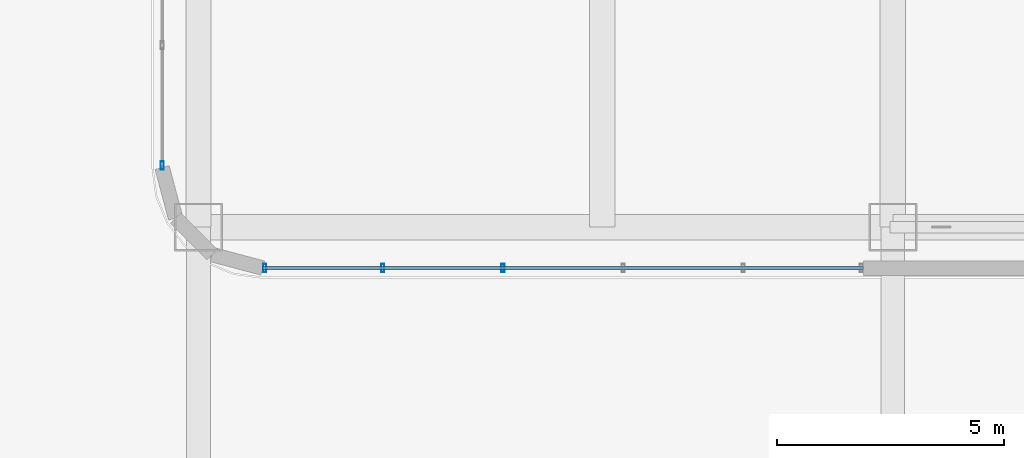
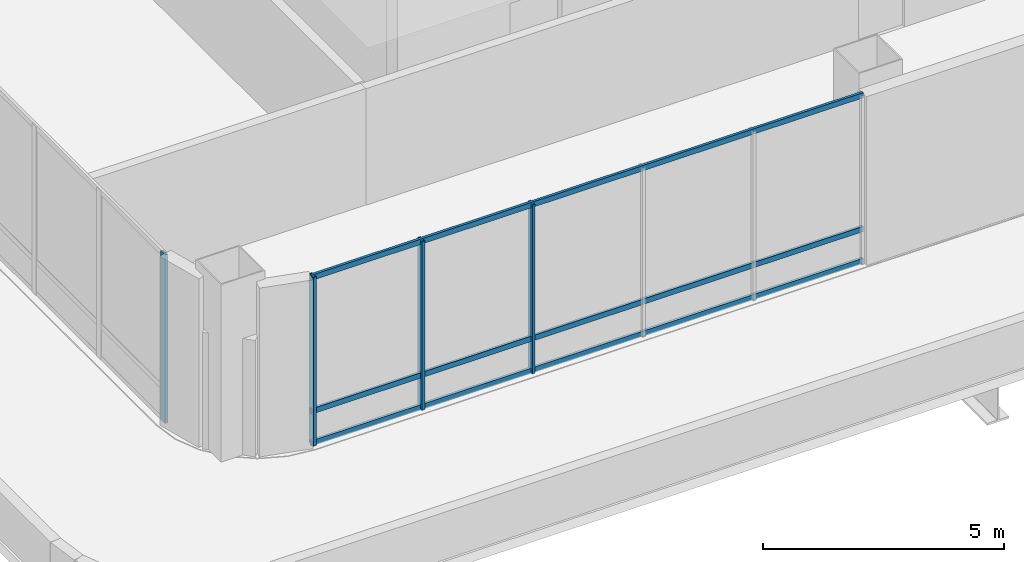
# One storey, part 2 of 33: 7 members, 2 elements without a shape of their own.
"""IFC4 building model written with IfcOpenShell, lengths in metres."""

import ifcopenshell
import ifcopenshell.guid

model = None  # the IFC model being written
_history = None  # IfcOwnerHistory: only IFC2X3 demands one
_inside = {}  # id of a spatial element -> (the spatial element, [elements in it])
_under = {}  # id of a project, library or spatial element -> (it, [spatial elements below it])
_declared = {}  # id of a project -> (the project, [libraries it declares])
_typed = {}  # id of a type object -> (the type object, [elements of that type])
_made_of = {}  # id of a material, layer set ... -> (it, [elements and type objects made of it])


def new_model(schema):
    """Start an empty IFC model of exactly this schema.

    Asked for "IFC4X3", IfcOpenShell would pick the latest addendum, in which some entities
    have other attributes; the version numbers below select the first issue.
    IFC2X3 requires an IfcOwnerHistory on every rooted entity: one is made here for all.
    """
    global model, _history
    if schema == "IFC4X3":
        model = ifcopenshell.file(schema_version=(4, 3, 0, 0))
    else:
        model = ifcopenshell.file(schema=schema)
    _inside.clear()
    _under.clear()
    _declared.clear()
    _typed.clear()
    _made_of.clear()
    _history = None
    if model.schema == "IFC2X3":
        org = make("IfcOrganization", Name="unknown")
        user = make(
            "IfcPersonAndOrganization",
            ThePerson=make("IfcPerson", FamilyName="unknown"),
            TheOrganization=org,
        )
        app = make(
            "IfcApplication",
            ApplicationDeveloper=org,
            Version="unknown",
            ApplicationFullName="unknown",
            ApplicationIdentifier="unknown",
        )
        _history = make(
            "IfcOwnerHistory",
            OwningUser=user,
            OwningApplication=app,
            ChangeAction="ADDED",
            CreationDate=0,
        )
    return model


def make(cls, **values):
    """One entity of the class cls with the attributes given. An attribute that is None is left unset."""
    return model.create_entity(
        cls, **{name: value for name, value in values.items() if value is not None}
    )


def rooted(cls, **values):
    """An entity with a GlobalId (a new one), such as an element, a storey or a relation."""
    return make(cls, GlobalId=ifcopenshell.guid.new(), OwnerHistory=_history, **values)


def si_unit(unit_type, name, prefix=None):
    """IfcSIUnit, for example si_unit("LENGTHUNIT", "METRE", prefix="MILLI")."""
    return make("IfcSIUnit", UnitType=unit_type, Prefix=prefix, Name=name)


def assignment(units):
    """IfcUnitAssignment: the units of a project."""
    return None if units is None else make("IfcUnitAssignment", Units=units)


def point(xyz):
    """IfcCartesianPoint."""
    return None if xyz is None else make("IfcCartesianPoint", Coordinates=xyz)


def direction(xyz):
    """IfcDirection."""
    return None if xyz is None else make("IfcDirection", DirectionRatios=xyz)


def frame(location, z_axis=None, x_axis=None):
    """IfcAxis2Placement3D, a coordinate frame: its origin and axes. An axis left out is left unset."""
    return make(
        "IfcAxis2Placement3D",
        Location=point(location),
        Axis=direction(z_axis),
        RefDirection=direction(x_axis),
    )


def frame_2d(location, x_axis=None):
    """IfcAxis2Placement2D, a coordinate frame in the plane: its origin and x axis."""
    return make(
        "IfcAxis2Placement2D", Location=point(location), RefDirection=direction(x_axis)
    )


def origin():
    """The frame at (0, 0, 0) with its axes left unset."""
    return frame((0.0, 0.0, 0.0))


def origin_2d():
    """The frame at (0, 0) in the plane with its x axis left unset."""
    return frame_2d((0.0, 0.0))


def place(relative_to, where):
    """IfcLocalPlacement: puts the frame where relative to a parent placement (None: the world)."""
    return make(
        "IfcLocalPlacement", PlacementRelTo=relative_to, RelativePlacement=where
    )


def context(
    kind, dimensions, precision=None, world=None, true_north=None, identifier=None
):
    """IfcGeometricRepresentationContext, for example the 3D "Model" context."""
    return make(
        "IfcGeometricRepresentationContext",
        ContextIdentifier=identifier,
        ContextType=kind,
        CoordinateSpaceDimension=dimensions,
        Precision=precision,
        WorldCoordinateSystem=world,
        TrueNorth=true_north,
    )


def subcontext(parent, identifier, kind, view, scale=None):
    """IfcGeometricRepresentationSubContext, for example "Body" below "Model"."""
    return make(
        "IfcGeometricRepresentationSubContext",
        ContextIdentifier=identifier,
        ContextType=kind,
        ParentContext=parent,
        TargetScale=scale,
        TargetView=view,
    )


def project(units=None, contexts=None):
    """IfcProject with its units and contexts."""
    return rooted(
        "IfcProject",
        Name="project",
        RepresentationContexts=contexts,
        UnitsInContext=assignment(units),
    )


def spatial(cls, under=None, at=None, **own):
    """A site, building, storey or space (cls), placed at a placement, below another one or the project."""
    s = rooted(cls, ObjectPlacement=at, **own)
    if under is not None:
        _under.setdefault(under.id(), (under, []))[1].append(s)
    return s


def profile(cls, at=None, kind="AREA", **sizes):
    """A parametric profile (cls). Its sizes go by their IFC names, for example OverallWidth=200.0."""
    return make(cls, ProfileType=kind, Position=at, **sizes)


def hollow_rectangle(**sizes):
    """IfcRectangleHollowProfileDef."""
    return profile("IfcRectangleHollowProfileDef", **sizes)


def extrude(swept, where, along, depth):
    """IfcExtrudedAreaSolid: the profile swept, set in the frame where, extruded along a direction by depth."""
    return make(
        "IfcExtrudedAreaSolid",
        SweptArea=swept,
        Position=where,
        ExtrudedDirection=direction(along),
        Depth=depth,
    )


def shape(context_of_items, identifier, shape_type, items):
    """IfcShapeRepresentation: the items that make up one representation, for example the "Body"."""
    return make(
        "IfcShapeRepresentation",
        ContextOfItems=context_of_items,
        RepresentationIdentifier=identifier,
        RepresentationType=shape_type,
        Items=items,
    )


def material(Name=None, Category=None):
    """IfcMaterial."""
    return make("IfcMaterial", Name=Name, Category=Category)


def material_profile(
    of_material, cross_section, Name=None, Category=None, Priority=None
):
    """IfcMaterialProfile: a cross section and its material."""
    return make(
        "IfcMaterialProfile",
        Name=Name,
        Material=of_material,
        Profile=cross_section,
        Priority=Priority,
        Category=Category,
    )


def profile_set(profiles, Name=None, composite=None):
    """IfcMaterialProfileSet."""
    return make(
        "IfcMaterialProfileSet",
        Name=Name,
        MaterialProfiles=profiles,
        CompositeProfile=composite,
    )


def made_of(thing, what):
    """Note that an element or type object is made of a material, layer set ...; save() writes the relation."""
    if what is not None:
        _made_of.setdefault(what.id(), (what, []))[1].append(thing)
    return thing


def type_object(cls, material=None, **own):
    """A type object (cls), such as IfcWallType, which elements share."""
    return made_of(rooted(cls, **own), material)


def element(
    cls,
    number,
    at=None,
    inside=None,
    cuts=None,
    type_object=None,
    material=None,
    context=None,
    identifier="Body",
    shape_type=None,
    held_by="IfcProductDefinitionShape",
    body=None,
    shapes=None,
    **own,
):
    """One element of the class cls, such as IfcWall. Its Tag is "e" and its number.

    at: its placement. inside: the storey or other place that contains it. cuts: it is an
    opening in that element (IfcRelVoidsElement). A single representation is given by context,
    identifier, shape_type and body (its items); several are given by shapes. held_by: the class
    of the entity that holds the representations. save() writes the other relations.
    """
    e = rooted(cls, Tag="e%d" % number, ObjectPlacement=at, **own)
    if body is not None:
        shapes = [shape(context, identifier, shape_type, body)]
    if shapes is not None:
        e.Representation = make(held_by, Representations=shapes)
    if inside is not None:
        _inside.setdefault(inside.id(), (inside, []))[1].append(e)
    if cuts is not None:
        rooted(
            "IfcRelVoidsElement", RelatingBuildingElement=cuts, RelatedOpeningElement=e
        )
    if type_object is not None:
        _typed.setdefault(type_object.id(), (type_object, []))[1].append(e)
    return made_of(e, material)


def aggregate(whole, parts):
    """IfcRelAggregates: a whole, such as a stair, and the parts it consists of."""
    return rooted("IfcRelAggregates", RelatingObject=whole, RelatedObjects=parts)


def save(model, path):
    """Write the relations noted so far, then the file.

    IfcRelAggregates (storeys below a building ...), IfcRelContainedInSpatialStructure (elements
    in a storey), IfcRelDefinesByType, IfcRelAssociatesMaterial and IfcRelDeclares: one each for
    every whole, place, type object, material and project.
    """
    for whole, parts in _under.values():
        aggregate(whole, parts)
    for where, things in _inside.values():
        rooted(
            "IfcRelContainedInSpatialStructure",
            RelatedElements=things,
            RelatingStructure=where,
        )
    for kind, things in _typed.values():
        rooted("IfcRelDefinesByType", RelatedObjects=things, RelatingType=kind)
    for what, things in _made_of.values():
        rooted("IfcRelAssociatesMaterial", RelatedObjects=things, RelatingMaterial=what)
    for by, libraries in _declared.values():
        rooted("IfcRelDeclares", RelatingContext=by, RelatedDefinitions=libraries)
    model.write(path)


model = new_model("IFC4")

# Units and contexts
model_context = context("Model", 3, precision=1e-05, world=origin(), true_north=direction((0.0, 1.0)))
body_context = subcontext(model_context, "Body", "Model", "MODEL_VIEW")
ifc_project = project(units=[si_unit("LENGTHUNIT", "METRE"), si_unit("AREAUNIT", "SQUARE_METRE"), si_unit("VOLUMEUNIT", "CUBIC_METRE"), si_unit("PLANEANGLEUNIT", "RADIAN"), si_unit("MASSUNIT", "GRAM", prefix="KILO")], contexts=[model_context])

# Site, building, storey
site_placement = place(None, origin())
site = spatial("IfcSite", under=ifc_project, at=site_placement, CompositionType="ELEMENT")
building_placement = place(site_placement, origin())
building = spatial("IfcBuilding", under=site, at=building_placement, Name="Punatoya Terracotta Tower", CompositionType="ELEMENT")
storey_placement = place(building_placement, frame((0.0, 0.0, 343.800048828125)))
storey = spatial("IfcBuildingStorey", under=building, at=storey_placement, Name="L81", CompositionType="ELEMENT", Elevation=343.800048828125)

# Curtain wall, members
ifc_material_1 = material(Name="Aluminium 6063-T6 + Double Low-E Glass", Category="aluminium")
curtain_wall_type = type_object("IfcCurtainWallType", Name="CW-CRN", PredefinedType="NOTDEFINED", material=ifc_material_1)
curtain_wall_1_placement = place(storey_placement, origin())
curtain_wall_1 = element("IfcCurtainWall", 1, at=curtain_wall_1_placement, inside=storey, type_object=curtain_wall_type, Name="L81 Curtain Wall CW-L81-S01-1", PredefinedType="NOTDEFINED")
ifc_material_2 = material(Name="Aluminium 6063-T6", Category="aluminium")
ifc_material_profile_1 = material_profile(ifc_material_2, hollow_rectangle(XDim=0.070068359375, YDim=0.179931640625, WallThickness=0.00390625, at=origin_2d()))
ifc_profile_set_1 = profile_set([ifc_material_profile_1], Name="Aluminium 6063-T6")
member_type_1 = type_object("IfcMemberType", Name="CW-MUL-M3", PredefinedType="MULLION", material=ifc_profile_set_1)
member_1_placement = place(storey_placement, frame((-17.641845703125, -18.39990234375, 0.0), z_axis=(0.0, 0.0, 1.0), x_axis=(1.0, 0.0, 0.0)))
member_1 = element("IfcMember", 2, at=member_1_placement, type_object=member_type_1, Name="CW-L81-S01-1 Mullion 00", PredefinedType="MULLION", context=body_context, shape_type="SweptSolid", body=[
    extrude(hollow_rectangle(XDim=0.070068359375, YDim=0.179931640625, WallThickness=0.00390625, at=origin_2d()), origin(), (0.0, 0.0, 1.0), 4.280029296875),
])
member_2_placement = place(storey_placement, frame((-15.03955078125, -18.39990234375, 0.0), z_axis=(0.0, 0.0, 1.0), x_axis=(1.0, 0.0, 0.0)))
member_2 = element("IfcMember", 3, at=member_2_placement, type_object=member_type_1, Name="CW-L81-S01-1 Mullion 01", PredefinedType="MULLION", context=body_context, shape_type="SweptSolid", body=[
    extrude(hollow_rectangle(XDim=0.070068359375, YDim=0.179931640625, WallThickness=0.00390625, at=origin_2d()), origin(), (0.0, 0.0, 1.0), 4.280029296875),
])
member_3_placement = place(storey_placement, frame((-12.39208984375, -18.39990234375, 0.0), z_axis=(0.0, 0.0, 1.0), x_axis=(1.0, 0.0, 0.0)))
member_3 = element("IfcMember", 4, at=member_3_placement, type_object=member_type_1, Name="CW-L81-S01-1 Mullion 02", PredefinedType="MULLION", context=body_context, shape_type="SweptSolid", body=[
    extrude(hollow_rectangle(XDim=0.070068359375, YDim=0.179931640625, WallThickness=0.00390625, at=origin_2d()), origin(), (0.0, 0.0, 1.0), 4.280029296875),
])

# Curtain wall, member
curtain_wall_2_placement = place(storey_placement, origin())
curtain_wall_2 = element("IfcCurtainWall", 5, at=curtain_wall_2_placement, inside=storey, type_object=curtain_wall_type, Name="L81 Curtain Wall CW-L81-W13-1", PredefinedType="NOTDEFINED")
member_4_placement = place(storey_placement, frame((-19.89990234375, -16.141845703125, 0.0), z_axis=(0.0, 0.0, 1.0), x_axis=(1.0, 0.0, 0.0)))
member_4 = element("IfcMember", 6, at=member_4_placement, type_object=member_type_1, Name="CW-L81-W13-1 Mullion 12", PredefinedType="MULLION", context=body_context, shape_type="SweptSolid", body=[
    extrude(hollow_rectangle(XDim=0.070068359375, YDim=0.179931640625, WallThickness=0.00390625, at=origin_2d()), origin(), (0.0, 0.0, 1.0), 4.280029296875),
])
aggregate(curtain_wall_2, [member_4])

# Member
ifc_material_profile_2 = material_profile(ifc_material_2, hollow_rectangle(XDim=0.06201171875, YDim=0.135009765625, WallThickness=0.00390625, at=origin_2d()))
ifc_profile_set_2 = profile_set([ifc_material_profile_2], Name="Aluminium 6063-T6")
member_type_2 = type_object("IfcMemberType", Name="CW-TRN-CRN", PredefinedType="USERDEFINED", material=ifc_profile_set_2)
member_5_placement = place(storey_placement, frame((-17.68701171875, -18.39990234375, 0.0400390625), z_axis=(1.0, 0.0, 0.0), x_axis=(0.0, 1.0, 0.0)))
member_5 = element("IfcMember", 7, at=member_5_placement, type_object=member_type_2, Name="CW-L81-S01-1 Transom 1", ObjectType="TRANSOM", PredefinedType="USERDEFINED", context=body_context, shape_type="SweptSolid", body=[
    extrude(hollow_rectangle(XDim=0.06201171875, YDim=0.135009765625, WallThickness=0.00390625, at=origin_2d()), origin(), (0.0, 0.0, 1.0), 13.237060546875),
])

member_6_placement = place(storey_placement, frame((-17.68701171875, -18.39990234375, 0.849853515625), z_axis=(1.0, 0.0, 0.0), x_axis=(0.0, 1.0, 0.0)))
member_6 = element("IfcMember", 8, at=member_6_placement, type_object=member_type_2, Name="CW-L81-S01-1 Transom 2", ObjectType="TRANSOM", PredefinedType="USERDEFINED", context=body_context, shape_type="SweptSolid", body=[
    extrude(hollow_rectangle(XDim=0.06201171875, YDim=0.135009765625, WallThickness=0.00390625, at=origin_2d()), origin(), (0.0, 0.0, 1.0), 13.237060546875),
])

member_7_placement = place(storey_placement, frame((-17.68701171875, -18.39990234375, 4.239990234375), z_axis=(1.0, 0.0, 0.0), x_axis=(0.0, 1.0, 0.0)))
member_7 = element("IfcMember", 9, at=member_7_placement, type_object=member_type_2, Name="CW-L81-S01-1 Transom 3", ObjectType="TRANSOM", PredefinedType="USERDEFINED", context=body_context, shape_type="SweptSolid", body=[
    extrude(hollow_rectangle(XDim=0.06201171875, YDim=0.135009765625, WallThickness=0.00390625, at=origin_2d()), origin(), (0.0, 0.0, 1.0), 13.237060546875),
])

aggregate(curtain_wall_1, [member_1, member_2, member_3, member_5, member_6, member_7])

save(model, "model.ifc")
